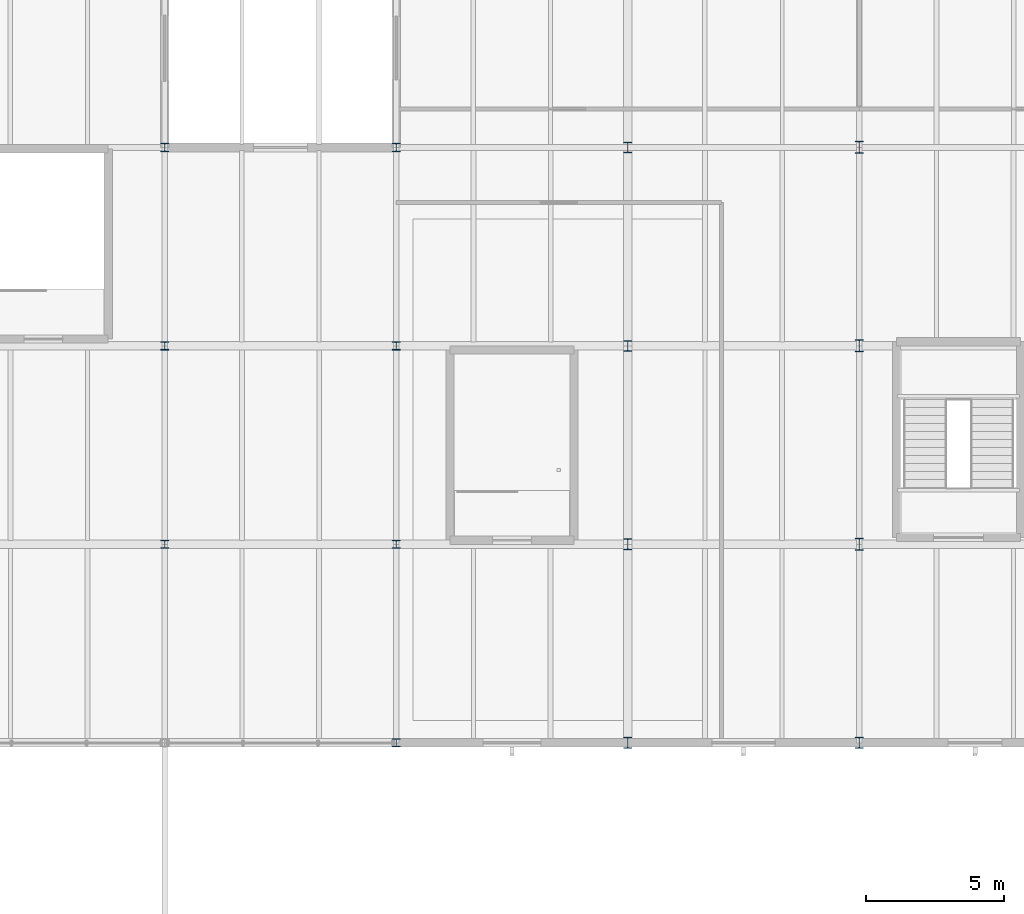
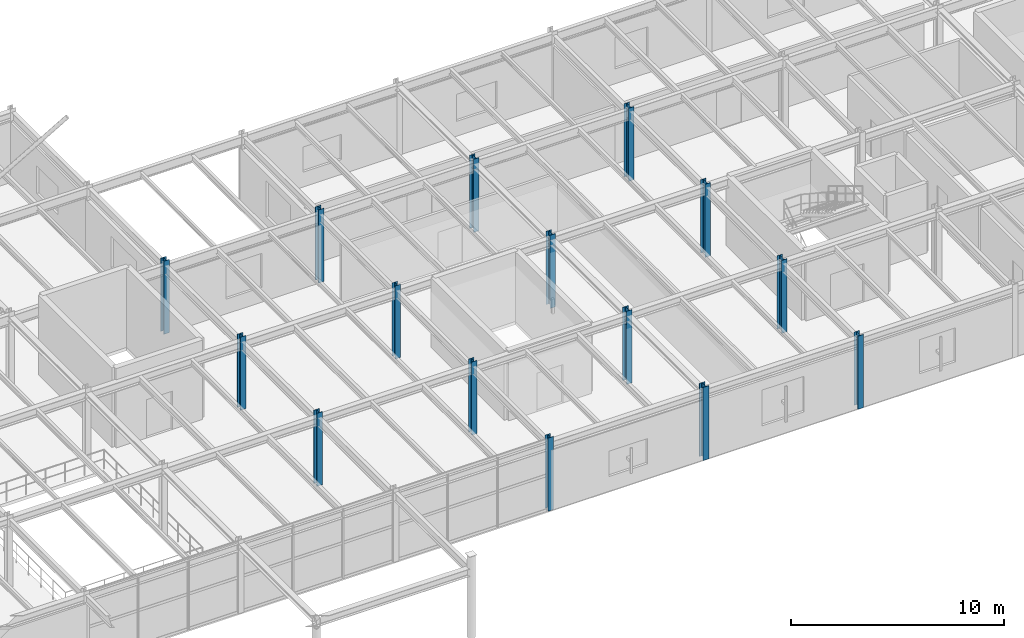
# One storey, part 5 of 109: 15 columns.
"""IFC4 building model written with IfcOpenShell, lengths in metres."""

from ifc_helpers import new_model, si_unit, derived_unit, direction, frame, origin, origin_2d, place, context, subcontext, project, spatial, i_section, extrude, material, material_profile, profile_set, type_object, element, save


model = new_model("IFC4")

# Units and contexts
model_context = context("Model", 3, precision=1e-05, world=origin(), true_north=direction((0.0, 1.0)))
body_context = subcontext(model_context, "Body", "Model", "MODEL_VIEW")
ifc_project = project(units=[si_unit("LENGTHUNIT", "METRE"), si_unit("AREAUNIT", "SQUARE_METRE"), si_unit("VOLUMEUNIT", "CUBIC_METRE"), si_unit("PLANEANGLEUNIT", "RADIAN"), si_unit("MASSUNIT", "GRAM", prefix="KILO"), derived_unit("THERMALTRANSMITTANCEUNIT", [(si_unit("MASSUNIT", "GRAM", prefix="KILO"), 1), (si_unit("TIMEUNIT", "SECOND"), -3), (si_unit("THERMODYNAMICTEMPERATUREUNIT", "KELVIN"), -1)])], contexts=[model_context])

# Site, building, storey
site_placement = place(None, origin())
site = spatial("IfcSite", under=ifc_project, at=site_placement, CompositionType="ELEMENT")
building_placement = place(site_placement, origin())
building = spatial("IfcBuilding", under=site, at=building_placement, Name="Kharveza Railside Sports Centre", CompositionType="ELEMENT")
storey_placement = place(building_placement, frame((0.0, 0.0, 4.5)))
storey = spatial("IfcBuildingStorey", under=building, at=storey_placement, Name="L01", CompositionType="ELEMENT", Elevation=4.5)

# Columns
ifc_material = material(Name="Steel S355J2", Category="steel")
ifc_material_profile_1 = material_profile(ifc_material, i_section(OverallWidth=0.300048828125, OverallDepth=0.300048828125, WebThickness=0.010986328125, FlangeThickness=0.01904296875, FilletRadius=0.027099609375, at=origin_2d()), Name="HEB 300")
ifc_profile_set_1 = profile_set([ifc_material_profile_1], Name="Steel S355J2")
column_type_1 = type_object("IfcColumnType", Name="COL-S07", PredefinedType="COLUMN", material=ifc_profile_set_1)
for number, where, z_axis, x_axis, name in (
    (1, (100.800048828125, 14.39990234375, 0.0), (0.0, 0.0, 1.0), (1.0, 0.0, 0.0), "COL-G-C07-X1008-Y144-L01"),
    (2, (100.800048828125, 21.60009765625, 0.0), (0.0, 0.0, 1.0), (1.0, 0.0, 0.0), "COL-G-C07-X1008-Y216-L01"),
    (3, (100.800048828125, 28.800048828125, 0.0), (0.0, 0.0, 1.0), (1.0, 0.0, 0.0), "COL-G-C07-X1008-Y288-L01"),
    (4, (109.199951171875, 7.199951171875, 0.0), (0.0, 0.0, 1.0), (1.0, 0.0, 0.0), "COL-G-C07-X1092-Y72-L01"),
    (5, (109.199951171875, 14.39990234375, 0.0), (0.0, 0.0, 1.0), (1.0, 0.0, 0.0), "COL-G-C07-X1092-Y144-L01"),
    (6, (109.199951171875, 21.60009765625, 0.0), (0.0, 0.0, 1.0), (1.0, 0.0, 0.0), "COL-G-C07-X1092-Y216-L01"),
    (7, (109.199951171875, 28.800048828125, 0.0), (0.0, 0.0, 1.0), (1.0, 0.0, 0.0), "COL-G-C07-X1092-Y288-L01"),
):
    element("IfcColumn", number, at=place(storey_placement, frame(where, z_axis=z_axis, x_axis=x_axis)), inside=storey, type_object=column_type_1, Name=name, PredefinedType="COLUMN", context=body_context, shape_type="SweptSolid", body=[
        extrude(i_section(OverallWidth=0.300048828125, OverallDepth=0.300048828125, WebThickness=0.010986328125, FlangeThickness=0.01904296875, FilletRadius=0.027099609375, at=origin_2d()), origin(), (0.0, 0.0, 1.0), 4.199951171875),
    ])
ifc_material_profile_2 = material_profile(ifc_material, i_section(OverallWidth=0.300048828125, OverallDepth=0.43994140625, WebThickness=0.011474609375, FlangeThickness=0.02099609375, FilletRadius=0.027099609375, at=origin_2d()), Name="HEA 450")
ifc_profile_set_2 = profile_set([ifc_material_profile_2], Name="Steel S355J2")
column_type_2 = type_object("IfcColumnType", Name="COL-S09", PredefinedType="COLUMN", material=ifc_profile_set_2)
for number, where, z_axis, x_axis, name in (
    (8, (126.0, 14.39990234375, 0.0), (0.0, 0.0, 1.0), (1.0, 0.0, 0.0), "COL-G-C09-X1260-Y144-L01"),
    (9, (126.0, 21.60009765625, 0.0), (0.0, 0.0, 1.0), (1.0, 0.0, 0.0), "COL-G-C09-X1260-Y216-L01"),
    (10, (126.0, 28.800048828125, 0.0), (0.0, 0.0, 1.0), (1.0, 0.0, 0.0), "COL-G-C09-X1260-Y288-L01"),
):
    element("IfcColumn", number, at=place(storey_placement, frame(where, z_axis=z_axis, x_axis=x_axis)), inside=storey, type_object=column_type_2, Name=name, PredefinedType="COLUMN", context=body_context, shape_type="SweptSolid", body=[
        extrude(i_section(OverallWidth=0.300048828125, OverallDepth=0.43994140625, WebThickness=0.011474609375, FlangeThickness=0.02099609375, FilletRadius=0.027099609375, at=origin_2d()), origin(), (0.0, 0.0, 1.0), 4.199951171875),
    ])
ifc_material_profile_3 = material_profile(ifc_material, i_section(OverallWidth=0.300048828125, OverallDepth=0.389892578125, WebThickness=0.010986328125, FlangeThickness=0.01904296875, FilletRadius=0.027099609375, at=origin_2d()), Name="HEA 400")
ifc_profile_set_3 = profile_set([ifc_material_profile_3], Name="Steel S355J2")
column_type_3 = type_object("IfcColumnType", Name="COL-S10", PredefinedType="COLUMN", material=ifc_profile_set_3)
for number, where, z_axis, x_axis, name in (
    (11, (117.60009765625, 7.199951171875, 0.0), (0.0, 0.0, 1.0), (1.0, 0.0, 0.0), "COL-G-C10-X1176-Y72-L01"),
    (12, (117.60009765625, 14.39990234375, 0.0), (0.0, 0.0, 1.0), (1.0, 0.0, 0.0), "COL-G-C10-X1176-Y144-L01"),
    (13, (117.60009765625, 21.60009765625, 0.0), (0.0, 0.0, 1.0), (1.0, 0.0, 0.0), "COL-G-C10-X1176-Y216-L01"),
    (14, (117.60009765625, 28.800048828125, 0.0), (0.0, 0.0, 1.0), (1.0, 0.0, 0.0), "COL-G-C10-X1176-Y288-L01"),
    (15, (126.0, 7.199951171875, 0.0), (0.0, 0.0, 1.0), (1.0, 0.0, 0.0), "COL-G-C10-X1260-Y72-L01"),
):
    element("IfcColumn", number, at=place(storey_placement, frame(where, z_axis=z_axis, x_axis=x_axis)), inside=storey, type_object=column_type_3, Name=name, PredefinedType="COLUMN", context=body_context, shape_type="SweptSolid", body=[
        extrude(i_section(OverallWidth=0.300048828125, OverallDepth=0.389892578125, WebThickness=0.010986328125, FlangeThickness=0.01904296875, FilletRadius=0.027099609375, at=origin_2d()), origin(), (0.0, 0.0, 1.0), 4.199951171875),
    ])

save(model, "model.ifc")
